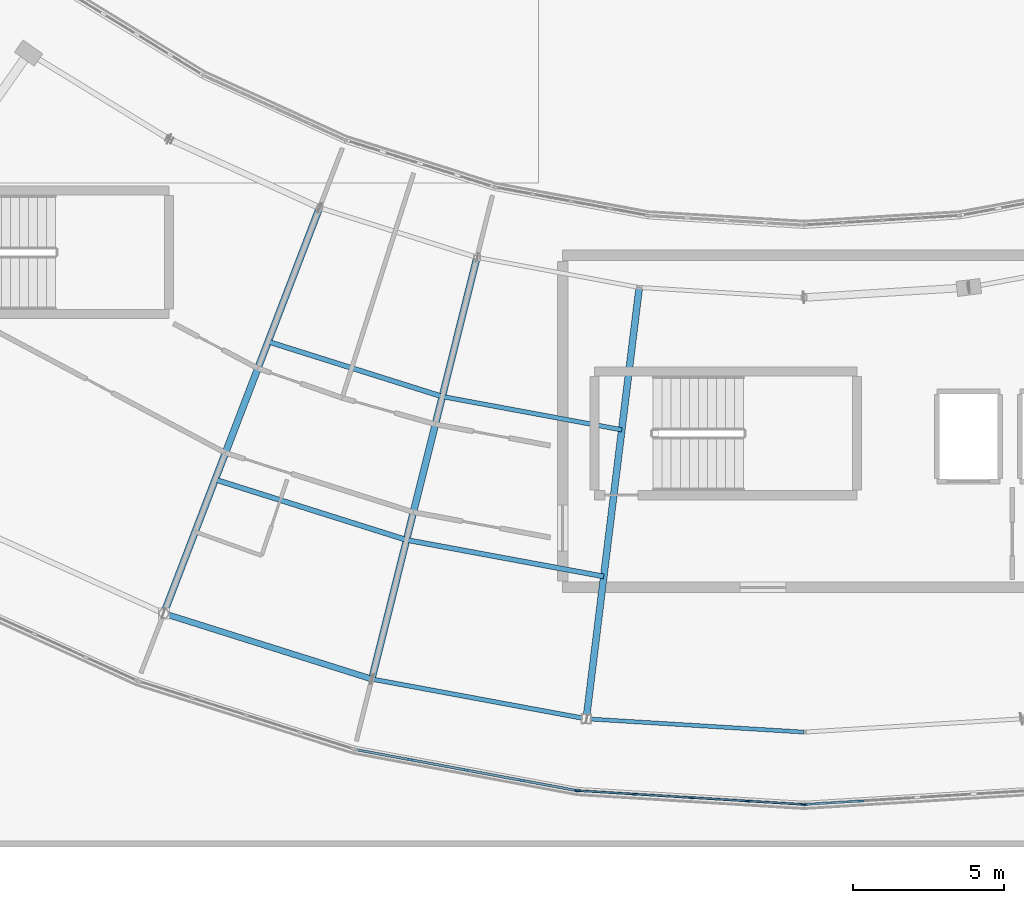
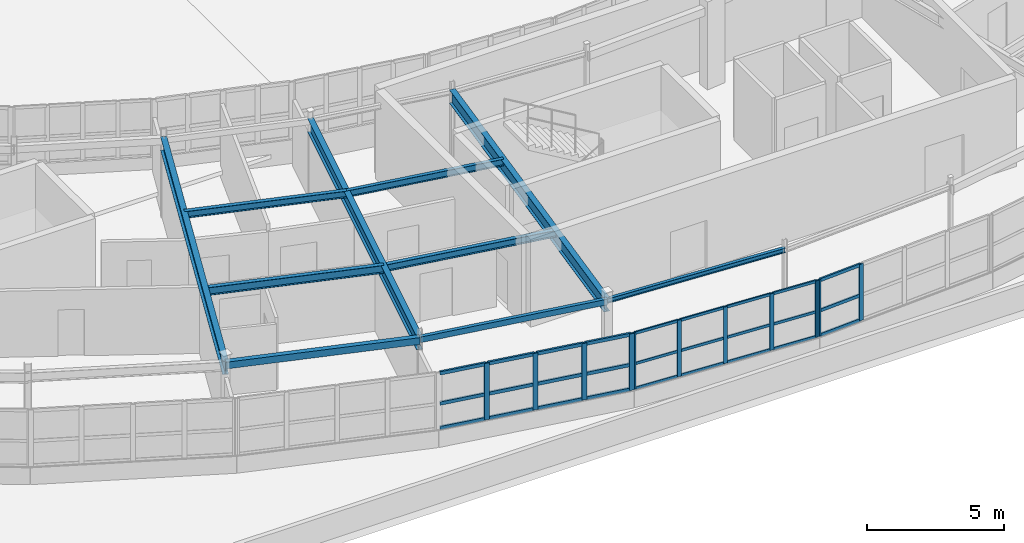
# One storey, part 29 of 128: 38 members, 10 beams, 3 elements without a shape of their own.
"""IFC4 building model written with IfcOpenShell, lengths in metres."""

from ifc_helpers import new_model, si_unit, direction, frame, origin, origin_2d, place, context, subcontext, project, spatial, rectangle, hollow_rectangle, i_section, extrude, material, layer, layer_set, material_profile, profile_set, type_object, element, aggregate, save


model = new_model("IFC4")

# Units and contexts
model_context = context("Model", 3, precision=1e-05, world=origin(), true_north=direction((0.0, 1.0)))
body_context = subcontext(model_context, "Body", "Model", "MODEL_VIEW")
ifc_project = project(units=[si_unit("LENGTHUNIT", "METRE"), si_unit("AREAUNIT", "SQUARE_METRE"), si_unit("VOLUMEUNIT", "CUBIC_METRE"), si_unit("PLANEANGLEUNIT", "RADIAN"), si_unit("MASSUNIT", "GRAM", prefix="KILO")], contexts=[model_context])

# Site, building, storey
site_placement = place(None, origin())
site = spatial("IfcSite", under=ifc_project, at=site_placement, CompositionType="ELEMENT")
building_placement = place(site_placement, origin())
building = spatial("IfcBuilding", under=site, at=building_placement, Name="Tarnwether General Hospital", CompositionType="ELEMENT")
storey_placement = place(building_placement, frame((0.0, 0.0, 14.39990234375)))
storey = spatial("IfcBuildingStorey", under=building, at=storey_placement, Name="L03", CompositionType="ELEMENT", Elevation=14.39990234375)

# Beams
ifc_material_1 = material(Name="Steel Grade 350 (350 MPa)", Category="steel")
ifc_material_profile_1 = material_profile(ifc_material_1, i_section(OverallWidth=0.22900390625, OverallDepth=0.612060546875, WebThickness=0.011962890625, FlangeThickness=0.01953125, at=origin_2d()), Name="610UB125")
ifc_profile_set_1 = profile_set([ifc_material_profile_1], Name="Steel Grade 350 (350 MPa)")
beam_type_1 = type_object("IfcBeamType", Name="BM-G03", PredefinedType="BEAM", material=ifc_profile_set_1)
beam_1_placement = place(storey_placement, frame((70.784912109375, 7.73193359375, 3.254150390625), z_axis=(0.358334838026, 0.933593136145, 0.0), x_axis=(-0.933593136145, 0.358334838026, 0.0)))
element("IfcBeam", 1, at=beam_1_placement, inside=storey, type_object=beam_type_1, Name="Curved Ward SE Radial Girder BMG-L03-7078_773-7594_2118-2099", PredefinedType="BEAM", context=body_context, shape_type="SweptSolid", body=[
    extrude(i_section(OverallWidth=0.22900390625, OverallDepth=0.612060546875, WebThickness=0.011962890625, FlangeThickness=0.01953125, at=origin_2d()), origin(), (0.0, 0.0, 1.0), 14.400390625),
])
ifc_material_2 = material(Name="Steel Grade 350 (350 MPa)", Category="steel")
ifc_material_profile_2 = material_profile(ifc_material_2, i_section(OverallWidth=0.22802734375, OverallDepth=0.60693359375, WebThickness=0.01123046875, FlangeThickness=0.017333984375, at=origin_2d()), Name="610UB113")
ifc_profile_set_2 = profile_set([ifc_material_profile_2], Name="Steel Grade 350 (350 MPa)")
beam_type_2 = type_object("IfcBeamType", Name="BM-G04", PredefinedType="BEAM", material=ifc_profile_set_2)
beam_2_placement = place(storey_placement, frame((77.677978515625, 5.55810546875, 3.256591796875), z_axis=(0.241941215118, 0.970290909175, 0.0), x_axis=(-0.970290909175, 0.241941215118, 0.0)))
element("IfcBeam", 2, at=beam_2_placement, inside=storey, type_object=beam_type_2, Name="Curved Ward SE Radial Girder BMG-L03-7768_556-8116_1953-2100", PredefinedType="BEAM", context=body_context, shape_type="SweptSolid", body=[
    extrude(i_section(OverallWidth=0.22802734375, OverallDepth=0.60693359375, WebThickness=0.01123046875, FlangeThickness=0.017333984375, at=origin_2d()), origin(), (0.0, 0.0, 1.0), 14.400634765625),
])
ifc_material_3 = material(Name="Steel Grade 350 (350 MPa)", Category="steel")
ifc_material_profile_3 = material_profile(ifc_material_3, i_section(OverallWidth=0.22802734375, OverallDepth=0.60205078125, WebThickness=0.010498046875, FlangeThickness=0.014892578125, at=origin_2d()), Name="610UB101")
ifc_profile_set_3 = profile_set([ifc_material_profile_3], Name="Steel Grade 350 (350 MPa)")
beam_type_3 = type_object("IfcBeamType", Name="BM-G05", PredefinedType="BEAM", material=ifc_profile_set_3)
beam_3_placement = place(storey_placement, frame((84.784912109375, 4.240966796875, 3.259033203125), z_axis=(0.121881045946, 0.99254471468, 0.0), x_axis=(-0.99254471468, 0.121881045946, 0.0)))
element("IfcBeam", 3, at=beam_3_placement, inside=storey, type_object=beam_type_3, Name="Curved Ward SE Radial Girder BMG-L03-8478_424-8654_1853-2101", PredefinedType="BEAM", context=body_context, shape_type="SweptSolid", body=[
    extrude(i_section(OverallWidth=0.22802734375, OverallDepth=0.60205078125, WebThickness=0.010498046875, FlangeThickness=0.014892578125, at=origin_2d()), origin(), (0.0, 0.0, 1.0), 14.400390625),
])
ifc_material_4 = material(Name="Steel Grade 350 (350 MPa)", Category="steel")
ifc_material_profile_4 = material_profile(ifc_material_4, i_section(OverallWidth=0.1708984375, OverallDepth=0.35595703125, WebThickness=0.00732421875, FlangeThickness=0.011474609375, at=origin_2d()), Name="360UB50.7")
ifc_profile_set_4 = profile_set([ifc_material_profile_4], Name="Steel Grade 350 (350 MPa)")
beam_type_4 = type_object("IfcBeamType", Name="BM-J04", PredefinedType="JOIST", material=ifc_profile_set_4)
beam_4_placement = place(storey_placement, frame((72.488037109375, 12.1689453125, 3.382080078125), z_axis=(0.953671429399, -0.300850136693, 0.0), x_axis=(0.300850136693, 0.953671429399, 0.0)))
element("IfcBeam", 4, at=beam_4_placement, inside=storey, type_object=beam_type_4, Name="Curved Ward SE Chord Joist BMG-L03-7249_1217-7883_1017-2111", PredefinedType="JOIST", context=body_context, shape_type="SweptSolid", body=[
    extrude(i_section(OverallWidth=0.1708984375, OverallDepth=0.35595703125, WebThickness=0.00732421875, FlangeThickness=0.011474609375, at=origin_2d()), origin(), (0.0, 0.0, 1.0), 6.64794921875),
])
ifc_material_5 = material(Name="Steel Grade 350 (350 MPa)", Category="steel")
ifc_material_profile_5 = material_profile(ifc_material_5, i_section(OverallWidth=0.166015625, OverallDepth=0.306884765625, WebThickness=0.006591796875, FlangeThickness=0.01171875, at=origin_2d()), Name="310UB46.2")
ifc_profile_set_5 = profile_set([ifc_material_profile_5], Name="Steel Grade 350 (350 MPa)")
beam_type_5 = type_object("IfcBeamType", Name="BM-J05", PredefinedType="JOIST", material=ifc_profile_set_5)
beam_5_placement = place(storey_placement, frame((78.827880859375, 10.1689453125, 3.406494140625), z_axis=(0.983267388773, -0.18216817004, 0.0), x_axis=(0.18216817004, 0.983267388773, 0.0)))
element("IfcBeam", 5, at=beam_5_placement, inside=storey, type_object=beam_type_5, Name="Curved Ward SE Chord Joist BMG-L03-7883_1017-8536_896-2115", PredefinedType="JOIST", context=body_context, shape_type="SweptSolid", body=[
    extrude(i_section(OverallWidth=0.166015625, OverallDepth=0.306884765625, WebThickness=0.006591796875, FlangeThickness=0.01171875, at=origin_2d()), origin(), (0.0, 0.0, 1.0), 6.6474609375),
])
ifc_material_6 = material(Name="Steel Grade 350 (350 MPa)", Category="steel")
ifc_material_profile_6 = material_profile(ifc_material_6, i_section(OverallWidth=0.1650390625, OverallDepth=0.303955078125, WebThickness=0.006103515625, FlangeThickness=0.01025390625, at=origin_2d()), Name="310UB40.4")
ifc_profile_set_6 = profile_set([ifc_material_profile_6], Name="Steel Grade 350 (350 MPa)")
beam_type_6 = type_object("IfcBeamType", Name="BM-J07", PredefinedType="JOIST", material=ifc_profile_set_6)
beam_6_placement = place(storey_placement, frame((74.241943359375, 16.739013671875, 3.408203125), z_axis=(0.953725879816, -0.300677478654, 0.0), x_axis=(0.300677478654, 0.953725879816, 0.0)))
element("IfcBeam", 6, at=beam_6_placement, inside=storey, type_object=beam_type_6, Name="Curved Ward SE Chord Joist BMG-L03-7424_1674-8001_1492-2112", PredefinedType="JOIST", context=body_context, shape_type="SweptSolid", body=[
    extrude(i_section(OverallWidth=0.1650390625, OverallDepth=0.303955078125, WebThickness=0.006103515625, FlangeThickness=0.01025390625, at=origin_2d()), origin(), (0.0, 0.0, 1.0), 6.050048828125),
])
ifc_material_7 = material(Name="Steel Grade 350 (350 MPa)", Category="steel")
ifc_material_profile_7 = material_profile(ifc_material_7, i_section(OverallWidth=0.14892578125, OverallDepth=0.298095703125, WebThickness=0.005615234375, FlangeThickness=0.008056640625, at=origin_2d()), Name="310UB32.0")
ifc_profile_set_7 = profile_set([ifc_material_profile_7], Name="Steel Grade 350 (350 MPa)")
beam_type_7 = type_object("IfcBeamType", Name="BM-J08", PredefinedType="JOIST", material=ifc_profile_set_7)
beam_7_placement = place(storey_placement, frame((80.011962890625, 14.919921875, 3.4111328125), z_axis=(0.983241575901, -0.182307442029, 0.0), x_axis=(0.182307442029, 0.983241575901, 0.0)))
element("IfcBeam", 7, at=beam_7_placement, inside=storey, type_object=beam_type_7, Name="Curved Ward SE Chord Joist BMG-L03-8001_1492-8596_1382-2116", PredefinedType="JOIST", context=body_context, shape_type="SweptSolid", body=[
    extrude(i_section(OverallWidth=0.14892578125, OverallDepth=0.298095703125, WebThickness=0.005615234375, FlangeThickness=0.008056640625, at=origin_2d()), origin(), (0.0, 0.0, 1.0), 6.05029296875),
])
ifc_material_8 = material(Name="Steel Grade C350L0 (350 MPa)", Category="steel")
ifc_material_profile_8 = material_profile(ifc_material_8, hollow_rectangle(XDim=0.199951171875, YDim=0.300048828125, WallThickness=0.012451171875, at=origin_2d()), Name="RHS300x200x12.5")
ifc_profile_set_8 = profile_set([ifc_material_profile_8], Name="Steel Grade C350L0 (350 MPa)")
beam_type_8 = type_object("IfcBeamType", Name="BM-SP3", PredefinedType="SPANDREL", material=ifc_profile_set_8)
beam_8_placement = place(storey_placement, frame((70.784912109375, 7.73193359375, 3.41015625), z_axis=(0.953698988948, -0.300762761125, 0.0), x_axis=(0.300762761125, 0.953698988948, 0.0)))
element("IfcBeam", 8, at=beam_8_placement, inside=storey, type_object=beam_type_8, Name="Curved Ward SE Outer Spandrel BMG-L03-7078_773-7768_556-2109", PredefinedType="SPANDREL", context=body_context, shape_type="SweptSolid", body=[
    extrude(hollow_rectangle(XDim=0.199951171875, YDim=0.300048828125, WallThickness=0.012451171875, at=origin_2d()), origin(), (0.0, 0.0, 1.0), 7.227783203125),
])
ifc_material_9 = material(Name="Steel Grade C350L0 (350 MPa)", Category="steel")
ifc_material_profile_9 = material_profile(ifc_material_9, hollow_rectangle(XDim=0.14990234375, YDim=0.25, WallThickness=0.010009765625, at=origin_2d()), Name="RHS250x150x10")
ifc_profile_set_9 = profile_set([ifc_material_profile_9], Name="Steel Grade C350L0 (350 MPa)")
beam_type_9 = type_object("IfcBeamType", Name="BM-SP4", PredefinedType="SPANDREL", material=ifc_profile_set_9)
beam_9_placement = place(storey_placement, frame((77.677978515625, 5.55810546875, 3.43505859375), z_axis=(0.98325623662, -0.182228354399, 0.0), x_axis=(0.182228354399, 0.98325623662, 0.0)))
element("IfcBeam", 9, at=beam_9_placement, inside=storey, type_object=beam_type_9, Name="Curved Ward SE Outer Spandrel BMG-L03-7768_556-8478_424-2113", PredefinedType="SPANDREL", context=body_context, shape_type="SweptSolid", body=[
    extrude(hollow_rectangle(XDim=0.14990234375, YDim=0.25, WallThickness=0.010009765625, at=origin_2d()), origin(), (0.0, 0.0, 1.0), 7.22802734375),
])
ifc_material_10 = material(Name="Steel Grade 350 (350 MPa)", Category="steel")
ifc_material_profile_10 = material_profile(ifc_material_10, i_section(OverallWidth=0.133056640625, OverallDepth=0.202880859375, WebThickness=0.005859375, FlangeThickness=0.0078125, at=origin_2d()), Name="200UB25.4")
ifc_profile_set_10 = profile_set([ifc_material_profile_10], Name="Steel Grade 350 (350 MPa)")
beam_type_10 = type_object("IfcBeamType", Name="BM-SP5", PredefinedType="SPANDREL", material=ifc_profile_set_10)
beam_10_placement = place(storey_placement, frame((84.784912109375, 4.240966796875, 3.45849609375), z_axis=(0.998137964221, -0.060996757127, 0.0), x_axis=(0.060996757127, 0.998137964221, 0.0)))
element("IfcBeam", 10, at=beam_10_placement, inside=storey, type_object=beam_type_10, Name="Curved Ward SE Outer Spandrel BMG-L03-8478_424-9200_380-2117", PredefinedType="SPANDREL", context=body_context, shape_type="SweptSolid", body=[
    extrude(i_section(OverallWidth=0.133056640625, OverallDepth=0.202880859375, WebThickness=0.005859375, FlangeThickness=0.0078125, at=origin_2d()), origin(), (0.0, 0.0, 1.0), 7.228515625),
])

# Curtain wall, members
ifc_material_11 = material(Name="Anodised aluminium", Category="aluminium")
ifc_layer = layer(ifc_material_11, 0.179931640625)
ifc_layer_set = layer_set([ifc_layer], Name="Anodised aluminium")
curtain_wall_type = type_object("IfcCurtainWallType", Name="CW-08", PredefinedType="NOTDEFINED", material=ifc_layer_set)
curtain_wall_1_placement = place(storey_placement, origin())
curtain_wall_1 = element("IfcCurtainWall", 11, at=curtain_wall_1_placement, inside=storey, type_object=curtain_wall_type, Name="Curtain Wall CWG-L03-920_14-0158", PredefinedType="NOTDEFINED")
ifc_material_12 = material(Name="Anodised aluminium", Category="aluminium")
ifc_material_profile_11 = material_profile(ifc_material_12, rectangle(XDim=0.06005859375, YDim=0.159912109375, at=origin_2d()), Name="ALU-MUL-60x160")
ifc_profile_set_11 = profile_set([ifc_material_profile_11], Name="Anodised aluminium")
member_type_1 = type_object("IfcMemberType", Name="CW-ML1", PredefinedType="MULLION", material=ifc_profile_set_11)
member_1_placement = place(storey_placement, frame((91.969970703125, 1.40185546875, 1.050048828125), z_axis=(0.0, 0.0, 1.0), x_axis=(-0.061028962567, -0.998135995608, 0.0)))
member_1 = element("IfcMember", 12, at=member_1_placement, type_object=member_type_1, Name="CW-08 mullion 1", PredefinedType="MULLION", context=body_context, shape_type="SweptSolid", body=[
    extrude(rectangle(XDim=0.06005859375, YDim=0.159912109375, at=origin_2d()), origin(), (0.0, 0.0, 1.0), 2.510009765625),
])
member_2_placement = place(storey_placement, frame((90.123291015625, 1.5146484375, 1.050048828125), z_axis=(0.0, 0.0, 1.0), x_axis=(-0.061028962567, -0.998135995608, 0.0)))
member_2 = element("IfcMember", 13, at=member_2_placement, type_object=member_type_1, Name="CW-08 mullion 2", PredefinedType="MULLION", context=body_context, shape_type="SweptSolid", body=[
    extrude(rectangle(XDim=0.06005859375, YDim=0.159912109375, at=origin_2d()), origin(), (0.0, 0.0, 1.0), 2.510009765625),
])
member_3_placement = place(storey_placement, frame((88.24658203125, 1.62939453125, 1.050048828125), z_axis=(0.0, 0.0, 1.0), x_axis=(-0.061028962567, -0.998135995608, 0.0)))
member_3 = element("IfcMember", 14, at=member_3_placement, type_object=member_type_1, Name="CW-08 mullion 3", PredefinedType="MULLION", context=body_context, shape_type="SweptSolid", body=[
    extrude(rectangle(XDim=0.06005859375, YDim=0.159912109375, at=origin_2d()), origin(), (0.0, 0.0, 1.0), 2.510009765625),
])
member_4_placement = place(storey_placement, frame((86.36962890625, 1.744140625, 1.050048828125), z_axis=(0.0, 0.0, 1.0), x_axis=(-0.061028962567, -0.998135995608, 0.0)))
member_4 = element("IfcMember", 15, at=member_4_placement, type_object=member_type_1, Name="CW-08 mullion 4", PredefinedType="MULLION", context=body_context, shape_type="SweptSolid", body=[
    extrude(rectangle(XDim=0.06005859375, YDim=0.159912109375, at=origin_2d()), origin(), (0.0, 0.0, 1.0), 2.510009765625),
])
member_5_placement = place(storey_placement, frame((84.52294921875, 1.857177734375, 1.050048828125), z_axis=(0.0, 0.0, 1.0), x_axis=(-0.061028962567, -0.998135995608, 0.0)))
member_5 = element("IfcMember", 16, at=member_5_placement, type_object=member_type_1, Name="CW-08 mullion 5", PredefinedType="MULLION", context=body_context, shape_type="SweptSolid", body=[
    extrude(rectangle(XDim=0.06005859375, YDim=0.159912109375, at=origin_2d()), origin(), (0.0, 0.0, 1.0), 2.510009765625),
])

curtain_wall_2_placement = place(storey_placement, origin())
curtain_wall_2 = element("IfcCurtainWall", 17, at=curtain_wall_2_placement, inside=storey, type_object=curtain_wall_type, Name="Curtain Wall CWG-L03-995_19-0159", PredefinedType="NOTDEFINED")
ifc_material_13 = material(Name="Anodised aluminium", Category="aluminium")
ifc_material_profile_12 = material_profile(ifc_material_13, rectangle(XDim=0.070068359375, YDim=0.179931640625, at=origin_2d()), Name="ALU-MUL-70x180")
ifc_profile_set_12 = profile_set([ifc_material_profile_12], Name="Anodised aluminium")
member_type_2 = type_object("IfcMemberType", Name="CW-ML2", PredefinedType="MULLION", material=ifc_profile_set_12)
member_6_placement = place(storey_placement, frame((93.876708984375, 1.5146484375, 1.050048828125), z_axis=(0.0, 0.0, 1.0), x_axis=(0.061028962567, -0.998135995608, 0.0)))
member_6 = element("IfcMember", 18, at=member_6_placement, type_object=member_type_2, Name="CW-08 mullion 4", PredefinedType="MULLION", context=body_context, shape_type="SweptSolid", body=[
    extrude(rectangle(XDim=0.070068359375, YDim=0.179931640625, at=origin_2d()), origin(), (0.0, 0.0, 1.0), 2.510009765625),
])
member_7_placement = place(storey_placement, frame((92.034912109375, 1.402099609375, 1.050048828125), z_axis=(0.0, 0.0, 1.0), x_axis=(0.061028962567, -0.998135995608, 0.0)))
member_7 = element("IfcMember", 19, at=member_7_placement, type_object=member_type_2, Name="CW-08 mullion 5", PredefinedType="MULLION", context=body_context, shape_type="SweptSolid", body=[
    extrude(rectangle(XDim=0.070068359375, YDim=0.179931640625, at=origin_2d()), origin(), (0.0, 0.0, 1.0), 2.510009765625),
])

curtain_wall_3_placement = place(storey_placement, origin())
curtain_wall_3 = element("IfcCurtainWall", 20, at=curtain_wall_3_placement, inside=storey, type_object=curtain_wall_type, Name="Curtain Wall CWG-L03-845_19-0157", PredefinedType="NOTDEFINED")
ifc_material_14 = material(Name="Anodised aluminium", Category="aluminium")
ifc_material_profile_13 = material_profile(ifc_material_14, rectangle(XDim=0.080078125, YDim=0.199951171875, at=origin_2d()), Name="ALU-MUL-80x200")
ifc_profile_set_13 = profile_set([ifc_material_profile_13], Name="Anodised aluminium")
member_type_3 = type_object("IfcMemberType", Name="CW-ML4", PredefinedType="MULLION", material=ifc_profile_set_13)
member_8_placement = place(storey_placement, frame((84.45361328125, 1.8662109375, 1.050048828125), z_axis=(0.0, 0.0, 1.0), x_axis=(-0.182289226614, -0.983244953132, 0.0)))
member_8 = element("IfcMember", 21, at=member_8_placement, type_object=member_type_3, Name="CW-08 mullion 1", PredefinedType="MULLION", context=body_context, shape_type="SweptSolid", body=[
    extrude(rectangle(XDim=0.080078125, YDim=0.199951171875, at=origin_2d()), origin(), (0.0, 0.0, 1.0), 2.510009765625),
])
member_9_placement = place(storey_placement, frame((82.644287109375, 2.20166015625, 1.050048828125), z_axis=(0.0, 0.0, 1.0), x_axis=(-0.182289226614, -0.983244953132, 0.0)))
member_9 = element("IfcMember", 22, at=member_9_placement, type_object=member_type_3, Name="CW-08 mullion 2", PredefinedType="MULLION", context=body_context, shape_type="SweptSolid", body=[
    extrude(rectangle(XDim=0.080078125, YDim=0.199951171875, at=origin_2d()), origin(), (0.0, 0.0, 1.0), 2.510009765625),
])
member_10_placement = place(storey_placement, frame((80.79541015625, 2.54443359375, 1.050048828125), z_axis=(0.0, 0.0, 1.0), x_axis=(-0.182289226614, -0.983244953132, 0.0)))
member_10 = element("IfcMember", 23, at=member_10_placement, type_object=member_type_3, Name="CW-08 mullion 3", PredefinedType="MULLION", context=body_context, shape_type="SweptSolid", body=[
    extrude(rectangle(XDim=0.080078125, YDim=0.199951171875, at=origin_2d()), origin(), (0.0, 0.0, 1.0), 2.510009765625),
])
member_11_placement = place(storey_placement, frame((78.94677734375, 2.88720703125, 1.050048828125), z_axis=(0.0, 0.0, 1.0), x_axis=(-0.182289226614, -0.983244953132, 0.0)))
member_11 = element("IfcMember", 24, at=member_11_placement, type_object=member_type_3, Name="CW-08 mullion 4", PredefinedType="MULLION", context=body_context, shape_type="SweptSolid", body=[
    extrude(rectangle(XDim=0.080078125, YDim=0.199951171875, at=origin_2d()), origin(), (0.0, 0.0, 1.0), 2.510009765625),
])

# Member
ifc_material_15 = material(Name="Anodised aluminium", Category="aluminium")
ifc_material_profile_14 = material_profile(ifc_material_15, rectangle(XDim=0.06005859375, YDim=0.1201171875, at=origin_2d()), Name="ALU-TRN-60x120")
ifc_profile_set_14 = profile_set([ifc_material_profile_14], Name="Anodised aluminium")
member_type_4 = type_object("IfcMemberType", Name="CW-TR1", PredefinedType="USERDEFINED", material=ifc_profile_set_14)
member_12_placement = place(storey_placement, frame((91.940185546875, 1.403564453125, 1.080078125), z_axis=(-0.99813239123, 0.061087884053, 0.0), x_axis=(-0.061087884053, -0.99813239123, 0.0)))
member_12 = element("IfcMember", 25, at=member_12_placement, type_object=member_type_4, Name="CW-08 transom 1.1", ObjectType="TRANSOM", PredefinedType="USERDEFINED", context=body_context, shape_type="SweptSolid", body=[
    extrude(rectangle(XDim=0.06005859375, YDim=0.1201171875, at=origin_2d()), origin(), (0.0, 0.0, 1.0), 1.79052734375),
])

member_13_placement = place(storey_placement, frame((91.940185546875, 1.403564453125, 2.1796875), z_axis=(-0.99813239123, 0.061087884053, 0.0), x_axis=(-0.061087884053, -0.99813239123, 0.0)))
member_13 = element("IfcMember", 26, at=member_13_placement, type_object=member_type_4, Name="CW-08 transom 1.2", ObjectType="TRANSOM", PredefinedType="USERDEFINED", context=body_context, shape_type="SweptSolid", body=[
    extrude(rectangle(XDim=0.06005859375, YDim=0.1201171875, at=origin_2d()), origin(), (0.0, 0.0, 1.0), 1.79052734375),
])

member_14_placement = place(storey_placement, frame((91.940185546875, 1.403564453125, 3.530029296875), z_axis=(-0.99813239123, 0.061087884053, 0.0), x_axis=(-0.061087884053, -0.99813239123, 0.0)))
member_14 = element("IfcMember", 27, at=member_14_placement, type_object=member_type_4, Name="CW-08 transom 1.3", ObjectType="TRANSOM", PredefinedType="USERDEFINED", context=body_context, shape_type="SweptSolid", body=[
    extrude(rectangle(XDim=0.06005859375, YDim=0.1201171875, at=origin_2d()), origin(), (0.0, 0.0, 1.0), 1.79052734375),
])

member_15_placement = place(storey_placement, frame((90.09326171875, 1.5166015625, 1.080078125), z_axis=(-0.998136205649, 0.06102552722, 0.0), x_axis=(-0.06102552722, -0.998136205649, 0.0)))
member_15 = element("IfcMember", 28, at=member_15_placement, type_object=member_type_4, Name="CW-08 transom 2.1", ObjectType="TRANSOM", PredefinedType="USERDEFINED", context=body_context, shape_type="SweptSolid", body=[
    extrude(rectangle(XDim=0.06005859375, YDim=0.1201171875, at=origin_2d()), origin(), (0.0, 0.0, 1.0), 1.8203125),
])

member_16_placement = place(storey_placement, frame((90.09326171875, 1.5166015625, 2.1796875), z_axis=(-0.998136205649, 0.06102552722, 0.0), x_axis=(-0.06102552722, -0.998136205649, 0.0)))
member_16 = element("IfcMember", 29, at=member_16_placement, type_object=member_type_4, Name="CW-08 transom 2.2", ObjectType="TRANSOM", PredefinedType="USERDEFINED", context=body_context, shape_type="SweptSolid", body=[
    extrude(rectangle(XDim=0.06005859375, YDim=0.1201171875, at=origin_2d()), origin(), (0.0, 0.0, 1.0), 1.8203125),
])

member_17_placement = place(storey_placement, frame((90.09326171875, 1.5166015625, 3.530029296875), z_axis=(-0.998136205649, 0.06102552722, 0.0), x_axis=(-0.06102552722, -0.998136205649, 0.0)))
member_17 = element("IfcMember", 30, at=member_17_placement, type_object=member_type_4, Name="CW-08 transom 2.3", ObjectType="TRANSOM", PredefinedType="USERDEFINED", context=body_context, shape_type="SweptSolid", body=[
    extrude(rectangle(XDim=0.06005859375, YDim=0.1201171875, at=origin_2d()), origin(), (0.0, 0.0, 1.0), 1.8203125),
])

member_18_placement = place(storey_placement, frame((88.216552734375, 1.63134765625, 1.080078125), z_axis=(-0.998136205649, 0.06102552722, 0.0), x_axis=(-0.06102552722, -0.998136205649, 0.0)))
member_18 = element("IfcMember", 31, at=member_18_placement, type_object=member_type_4, Name="CW-08 transom 3.1", ObjectType="TRANSOM", PredefinedType="USERDEFINED", context=body_context, shape_type="SweptSolid", body=[
    extrude(rectangle(XDim=0.06005859375, YDim=0.1201171875, at=origin_2d()), origin(), (0.0, 0.0, 1.0), 1.8203125),
])

member_19_placement = place(storey_placement, frame((88.216552734375, 1.63134765625, 2.1796875), z_axis=(-0.998136205649, 0.06102552722, 0.0), x_axis=(-0.06102552722, -0.998136205649, 0.0)))
member_19 = element("IfcMember", 32, at=member_19_placement, type_object=member_type_4, Name="CW-08 transom 3.2", ObjectType="TRANSOM", PredefinedType="USERDEFINED", context=body_context, shape_type="SweptSolid", body=[
    extrude(rectangle(XDim=0.06005859375, YDim=0.1201171875, at=origin_2d()), origin(), (0.0, 0.0, 1.0), 1.8203125),
])

member_20_placement = place(storey_placement, frame((88.216552734375, 1.63134765625, 3.530029296875), z_axis=(-0.998136205649, 0.06102552722, 0.0), x_axis=(-0.06102552722, -0.998136205649, 0.0)))
member_20 = element("IfcMember", 33, at=member_20_placement, type_object=member_type_4, Name="CW-08 transom 3.3", ObjectType="TRANSOM", PredefinedType="USERDEFINED", context=body_context, shape_type="SweptSolid", body=[
    extrude(rectangle(XDim=0.06005859375, YDim=0.1201171875, at=origin_2d()), origin(), (0.0, 0.0, 1.0), 1.8203125),
])

member_21_placement = place(storey_placement, frame((86.33984375, 1.74609375, 1.080078125), z_axis=(-0.998140189557, 0.060960331293, 0.0), x_axis=(-0.060960331293, -0.998140189557, 0.0)))
member_21 = element("IfcMember", 34, at=member_21_placement, type_object=member_type_4, Name="CW-08 transom 4.1", ObjectType="TRANSOM", PredefinedType="USERDEFINED", context=body_context, shape_type="SweptSolid", body=[
    extrude(rectangle(XDim=0.06005859375, YDim=0.1201171875, at=origin_2d()), origin(), (0.0, 0.0, 1.0), 1.790283203125),
])

member_22_placement = place(storey_placement, frame((86.33984375, 1.74609375, 2.1796875), z_axis=(-0.998140189557, 0.060960331293, 0.0), x_axis=(-0.060960331293, -0.998140189557, 0.0)))
member_22 = element("IfcMember", 35, at=member_22_placement, type_object=member_type_4, Name="CW-08 transom 4.2", ObjectType="TRANSOM", PredefinedType="USERDEFINED", context=body_context, shape_type="SweptSolid", body=[
    extrude(rectangle(XDim=0.06005859375, YDim=0.1201171875, at=origin_2d()), origin(), (0.0, 0.0, 1.0), 1.790283203125),
])

member_23_placement = place(storey_placement, frame((86.33984375, 1.74609375, 3.530029296875), z_axis=(-0.998140189557, 0.060960331293, 0.0), x_axis=(-0.060960331293, -0.998140189557, 0.0)))
member_23 = element("IfcMember", 36, at=member_23_placement, type_object=member_type_4, Name="CW-08 transom 4.3", ObjectType="TRANSOM", PredefinedType="USERDEFINED", context=body_context, shape_type="SweptSolid", body=[
    extrude(rectangle(XDim=0.06005859375, YDim=0.1201171875, at=origin_2d()), origin(), (0.0, 0.0, 1.0), 1.790283203125),
])

aggregate(curtain_wall_1, [member_1, member_2, member_3, member_4, member_5, member_12, member_13, member_14, member_15, member_16, member_17, member_18, member_19, member_20, member_21, member_22, member_23])

ifc_material_16 = material(Name="Anodised aluminium", Category="aluminium")
ifc_material_profile_15 = material_profile(ifc_material_16, rectangle(XDim=0.070068359375, YDim=0.139892578125, at=origin_2d()), Name="ALU-TRN-70x140")
ifc_profile_set_15 = profile_set([ifc_material_profile_15], Name="Anodised aluminium")
member_type_5 = type_object("IfcMemberType", Name="CW-TR2", PredefinedType="USERDEFINED", material=ifc_profile_set_15)
member_24_placement = place(storey_placement, frame((93.841796875, 1.5126953125, 1.085205078125), z_axis=(-0.9981341137, -0.061059733602, 0.0), x_axis=(0.061059733602, -0.9981341137, 0.0)))
member_24 = element("IfcMember", 37, at=member_24_placement, type_object=member_type_5, Name="CW-08 transom 4.1", ObjectType="TRANSOM", PredefinedType="USERDEFINED", context=body_context, shape_type="SweptSolid", body=[
    extrude(rectangle(XDim=0.070068359375, YDim=0.139892578125, at=origin_2d()), origin(), (0.0, 0.0, 1.0), 1.775390625),
])

member_25_placement = place(storey_placement, frame((93.841796875, 1.5126953125, 2.1796875), z_axis=(-0.9981341137, -0.061059733602, 0.0), x_axis=(0.061059733602, -0.9981341137, 0.0)))
member_25 = element("IfcMember", 38, at=member_25_placement, type_object=member_type_5, Name="CW-08 transom 4.2", ObjectType="TRANSOM", PredefinedType="USERDEFINED", context=body_context, shape_type="SweptSolid", body=[
    extrude(rectangle(XDim=0.070068359375, YDim=0.139892578125, at=origin_2d()), origin(), (0.0, 0.0, 1.0), 1.775390625),
])

member_26_placement = place(storey_placement, frame((93.841796875, 1.5126953125, 3.525146484375), z_axis=(-0.9981341137, -0.061059733602, 0.0), x_axis=(0.061059733602, -0.9981341137, 0.0)))
member_26 = element("IfcMember", 39, at=member_26_placement, type_object=member_type_5, Name="CW-08 transom 4.3", ObjectType="TRANSOM", PredefinedType="USERDEFINED", context=body_context, shape_type="SweptSolid", body=[
    extrude(rectangle(XDim=0.070068359375, YDim=0.139892578125, at=origin_2d()), origin(), (0.0, 0.0, 1.0), 1.775390625),
])

aggregate(curtain_wall_2, [member_6, member_7, member_24, member_25, member_26])

ifc_material_17 = material(Name="Anodised aluminium", Category="aluminium")
ifc_material_profile_16 = material_profile(ifc_material_17, rectangle(XDim=0.080078125, YDim=0.14990234375, at=origin_2d()), Name="ALU-TRN-80x150")
ifc_profile_set_16 = profile_set([ifc_material_profile_16], Name="Anodised aluminium")
member_type_6 = type_object("IfcMemberType", Name="CW-TR4", PredefinedType="USERDEFINED", material=ifc_profile_set_16)
member_27_placement = place(storey_placement, frame((84.414306640625, 1.87353515625, 1.090087890625), z_axis=(-0.983226775136, 0.182387249161, 0.0), x_axis=(-0.182387249161, -0.983226775136, 0.0)))
member_27 = element("IfcMember", 40, at=member_27_placement, type_object=member_type_6, Name="CW-08 transom 1.1", ObjectType="TRANSOM", PredefinedType="USERDEFINED", context=body_context, shape_type="SweptSolid", body=[
    extrude(rectangle(XDim=0.080078125, YDim=0.14990234375, at=origin_2d()), origin(), (0.0, 0.0, 1.0), 1.76025390625),
])

member_28_placement = place(storey_placement, frame((84.414306640625, 1.87353515625, 2.1796875), z_axis=(-0.983226775136, 0.182387249161, 0.0), x_axis=(-0.182387249161, -0.983226775136, 0.0)))
member_28 = element("IfcMember", 41, at=member_28_placement, type_object=member_type_6, Name="CW-08 transom 1.2", ObjectType="TRANSOM", PredefinedType="USERDEFINED", context=body_context, shape_type="SweptSolid", body=[
    extrude(rectangle(XDim=0.080078125, YDim=0.14990234375, at=origin_2d()), origin(), (0.0, 0.0, 1.0), 1.76025390625),
])

member_29_placement = place(storey_placement, frame((84.414306640625, 1.87353515625, 3.52001953125), z_axis=(-0.983226775136, 0.182387249161, 0.0), x_axis=(-0.182387249161, -0.983226775136, 0.0)))
member_29 = element("IfcMember", 42, at=member_29_placement, type_object=member_type_6, Name="CW-08 transom 1.3", ObjectType="TRANSOM", PredefinedType="USERDEFINED", context=body_context, shape_type="SweptSolid", body=[
    extrude(rectangle(XDim=0.080078125, YDim=0.14990234375, at=origin_2d()), origin(), (0.0, 0.0, 1.0), 1.76025390625),
])

member_30_placement = place(storey_placement, frame((82.60498046875, 2.208984375, 1.090087890625), z_axis=(-0.983252317683, 0.182249498685, 0.0), x_axis=(-0.182249498685, -0.983252317683, 0.0)))
member_30 = element("IfcMember", 43, at=member_30_placement, type_object=member_type_6, Name="CW-08 transom 2.1", ObjectType="TRANSOM", PredefinedType="USERDEFINED", context=body_context, shape_type="SweptSolid", body=[
    extrude(rectangle(XDim=0.080078125, YDim=0.14990234375, at=origin_2d()), origin(), (0.0, 0.0, 1.0), 1.800537109375),
])

member_31_placement = place(storey_placement, frame((82.60498046875, 2.208984375, 2.1796875), z_axis=(-0.983252317683, 0.182249498685, 0.0), x_axis=(-0.182249498685, -0.983252317683, 0.0)))
member_31 = element("IfcMember", 44, at=member_31_placement, type_object=member_type_6, Name="CW-08 transom 2.2", ObjectType="TRANSOM", PredefinedType="USERDEFINED", context=body_context, shape_type="SweptSolid", body=[
    extrude(rectangle(XDim=0.080078125, YDim=0.14990234375, at=origin_2d()), origin(), (0.0, 0.0, 1.0), 1.800537109375),
])

member_32_placement = place(storey_placement, frame((82.60498046875, 2.208984375, 3.52001953125), z_axis=(-0.983252317683, 0.182249498685, 0.0), x_axis=(-0.182249498685, -0.983252317683, 0.0)))
member_32 = element("IfcMember", 45, at=member_32_placement, type_object=member_type_6, Name="CW-08 transom 2.3", ObjectType="TRANSOM", PredefinedType="USERDEFINED", context=body_context, shape_type="SweptSolid", body=[
    extrude(rectangle(XDim=0.080078125, YDim=0.14990234375, at=origin_2d()), origin(), (0.0, 0.0, 1.0), 1.800537109375),
])

member_33_placement = place(storey_placement, frame((80.756103515625, 2.5517578125, 1.090087890625), z_axis=(-0.983247812768, 0.182273801429, 0.0), x_axis=(-0.182273801429, -0.983247812768, 0.0)))
member_33 = element("IfcMember", 46, at=member_33_placement, type_object=member_type_6, Name="CW-08 transom 3.1", ObjectType="TRANSOM", PredefinedType="USERDEFINED", context=body_context, shape_type="SweptSolid", body=[
    extrude(rectangle(XDim=0.080078125, YDim=0.14990234375, at=origin_2d()), origin(), (0.0, 0.0, 1.0), 1.80029296875),
])

member_34_placement = place(storey_placement, frame((80.756103515625, 2.5517578125, 2.1796875), z_axis=(-0.983247812768, 0.182273801429, 0.0), x_axis=(-0.182273801429, -0.983247812768, 0.0)))
member_34 = element("IfcMember", 47, at=member_34_placement, type_object=member_type_6, Name="CW-08 transom 3.2", ObjectType="TRANSOM", PredefinedType="USERDEFINED", context=body_context, shape_type="SweptSolid", body=[
    extrude(rectangle(XDim=0.080078125, YDim=0.14990234375, at=origin_2d()), origin(), (0.0, 0.0, 1.0), 1.80029296875),
])

member_35_placement = place(storey_placement, frame((80.756103515625, 2.5517578125, 3.52001953125), z_axis=(-0.983247812768, 0.182273801429, 0.0), x_axis=(-0.182273801429, -0.983247812768, 0.0)))
member_35 = element("IfcMember", 48, at=member_35_placement, type_object=member_type_6, Name="CW-08 transom 3.3", ObjectType="TRANSOM", PredefinedType="USERDEFINED", context=body_context, shape_type="SweptSolid", body=[
    extrude(rectangle(XDim=0.080078125, YDim=0.14990234375, at=origin_2d()), origin(), (0.0, 0.0, 1.0), 1.80029296875),
])

member_36_placement = place(storey_placement, frame((78.907470703125, 2.89453125, 1.090087890625), z_axis=(-0.983251638975, 0.182253160335, 0.0), x_axis=(-0.182253160335, -0.983251638975, 0.0)))
member_36 = element("IfcMember", 49, at=member_36_placement, type_object=member_type_6, Name="CW-08 transom 4.1", ObjectType="TRANSOM", PredefinedType="USERDEFINED", context=body_context, shape_type="SweptSolid", body=[
    extrude(rectangle(XDim=0.080078125, YDim=0.14990234375, at=origin_2d()), origin(), (0.0, 0.0, 1.0), 1.76025390625),
])

member_37_placement = place(storey_placement, frame((78.907470703125, 2.89453125, 2.1796875), z_axis=(-0.983251638975, 0.182253160335, 0.0), x_axis=(-0.182253160335, -0.983251638975, 0.0)))
member_37 = element("IfcMember", 50, at=member_37_placement, type_object=member_type_6, Name="CW-08 transom 4.2", ObjectType="TRANSOM", PredefinedType="USERDEFINED", context=body_context, shape_type="SweptSolid", body=[
    extrude(rectangle(XDim=0.080078125, YDim=0.14990234375, at=origin_2d()), origin(), (0.0, 0.0, 1.0), 1.76025390625),
])

member_38_placement = place(storey_placement, frame((78.907470703125, 2.89453125, 3.52001953125), z_axis=(-0.983251638975, 0.182253160335, 0.0), x_axis=(-0.182253160335, -0.983251638975, 0.0)))
member_38 = element("IfcMember", 51, at=member_38_placement, type_object=member_type_6, Name="CW-08 transom 4.3", ObjectType="TRANSOM", PredefinedType="USERDEFINED", context=body_context, shape_type="SweptSolid", body=[
    extrude(rectangle(XDim=0.080078125, YDim=0.14990234375, at=origin_2d()), origin(), (0.0, 0.0, 1.0), 1.76025390625),
])

aggregate(curtain_wall_3, [member_8, member_9, member_10, member_11, member_27, member_28, member_29, member_30, member_31, member_32, member_33, member_34, member_35, member_36, member_37, member_38])

save(model, "model.ifc")
